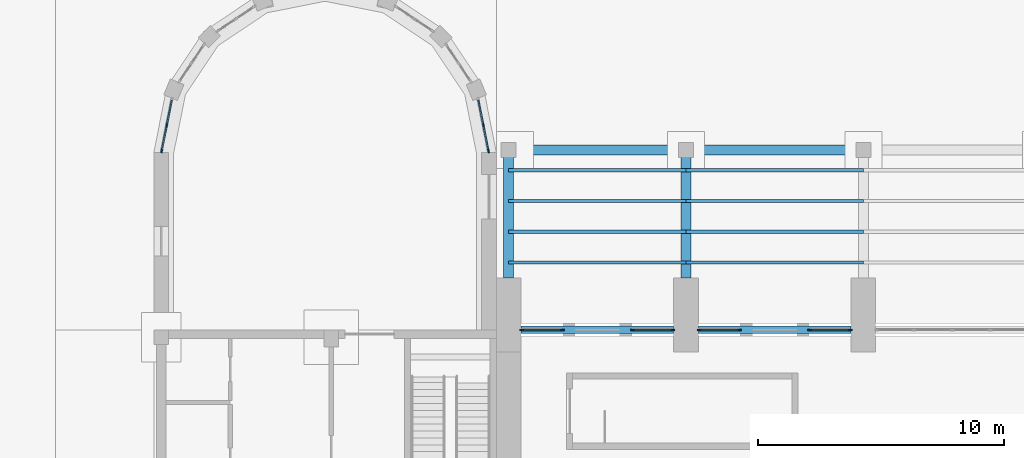
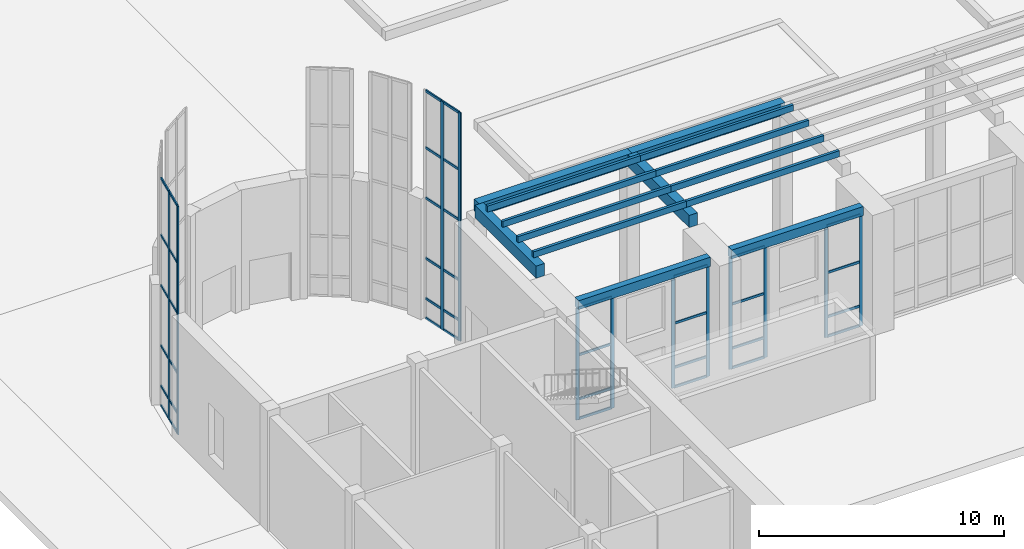
# One storey, part 13 of 70: 60 members, 6 beams, 6 elements without a shape of their own.
"""IFC4 building model written with IfcOpenShell, lengths in metres."""

from ifc_helpers import new_model, si_unit, direction, frame, origin, origin_2d, place, context, subcontext, project, spatial, rectangle, extrude, material, material_profile, profile_set, type_object, element, aggregate, save


model = new_model("IFC4")

# Units and contexts
model_context = context("Model", 3, precision=1e-05, world=origin(), true_north=direction((0.0, 1.0)))
body_context = subcontext(model_context, "Body", "Model", "MODEL_VIEW")
ifc_project = project(units=[si_unit("LENGTHUNIT", "METRE"), si_unit("AREAUNIT", "SQUARE_METRE"), si_unit("VOLUMEUNIT", "CUBIC_METRE"), si_unit("PLANEANGLEUNIT", "RADIAN"), si_unit("MASSUNIT", "GRAM", prefix="KILO")], contexts=[model_context])

# Site, building, storey
site_placement = place(None, origin())
site = spatial("IfcSite", under=ifc_project, at=site_placement, CompositionType="ELEMENT")
building_placement = place(site_placement, origin())
building = spatial("IfcBuilding", under=site, at=building_placement, Name="Vermilion Court Aquatics Centre", CompositionType="ELEMENT")
storey_placement = place(building_placement, origin())
storey = spatial("IfcBuildingStorey", under=building, at=storey_placement, Name="L00", CompositionType="ELEMENT", Elevation=0.0)

# Beams
ifc_material_1 = material(Name="Concrete 5000 psi", Category="concrete")
ifc_material_profile_1 = material_profile(ifc_material_1, rectangle(XDim=0.39990234375, YDim=0.60009765625, at=origin_2d()), Name="RC 400x600")
ifc_profile_set_1 = profile_set([ifc_material_profile_1], Name="Concrete 5000 psi")
beam_type_1 = type_object("IfcBeamType", Name="Court arcade beam RC 400x600", PredefinedType="BEAM", material=ifc_profile_set_1)
for number, where, z_axis, x_axis, name in (
    (1, (14.39990234375, 66.89990234375, 6.300048828125), (0.0, 1.0, 0.0), (-1.0, 0.0, 0.0), "Court arcade cross beam 1"),
    (2, (21.60009765625, 66.89990234375, 6.300048828125), (0.0, 1.0, 0.0), (-1.0, 0.0, 0.0), "Court arcade cross beam 2"),
):
    element("IfcBeam", number, at=place(storey_placement, frame(where, z_axis=z_axis, x_axis=x_axis)), inside=storey, type_object=beam_type_1, Name=name, PredefinedType="BEAM", context=body_context, shape_type="SweptSolid", body=[
        extrude(rectangle(XDim=0.39990234375, YDim=0.60009765625, at=origin_2d()), origin(), (0.0, 0.0, 1.0), 5.0),
    ])
beam_1_placement = place(storey_placement, frame((14.39990234375, 72.10009765625, 6.300048828125), z_axis=(1.0, 0.0, 0.0), x_axis=(0.0, 1.0, 0.0)))
element("IfcBeam", 3, at=beam_1_placement, inside=storey, type_object=beam_type_1, Name="Court arcade edge beam 1", PredefinedType="BEAM", context=body_context, shape_type="SweptSolid", body=[
    extrude(rectangle(XDim=0.39990234375, YDim=0.60009765625, at=origin_2d()), origin(), (0.0, 0.0, 1.0), 7.2001953125),
])
beam_2_placement = place(storey_placement, frame((21.60009765625, 72.10009765625, 6.300048828125), z_axis=(1.0, 0.0, 0.0), x_axis=(0.0, 1.0, 0.0)))
element("IfcBeam", 4, at=beam_2_placement, inside=storey, type_object=beam_type_1, Name="Court arcade edge beam 2", PredefinedType="BEAM", context=body_context, shape_type="SweptSolid", body=[
    extrude(rectangle(XDim=0.39990234375, YDim=0.60009765625, at=origin_2d()), origin(), (0.0, 0.0, 1.0), 7.199951171875),
])

# Members
ifc_material_2 = material(Name="Glulam 24F-V4 Douglas fir", Category="wood")
ifc_material_profile_2 = material_profile(ifc_material_2, rectangle(XDim=0.1298828125, YDim=0.300048828125, at=origin_2d()), Name="GL24F 130x300")
ifc_profile_set_2 = profile_set([ifc_material_profile_2], Name="Glulam 24F-V4 Douglas fir")
member_type_1 = type_object("IfcMemberType", Name="Court arcade glulam slat GL24F 130x300", PredefinedType="MEMBER", material=ifc_profile_set_2)
for number, where, z_axis, x_axis, name in (
    (5, (14.39990234375, 67.52490234375, 6.75), (1.0, 0.0, 0.0), (0.0, 1.0, 0.0), "Court arcade slat 1.1"),
    (6, (14.39990234375, 68.77490234375, 6.75), (1.0, 0.0, 0.0), (0.0, 1.0, 0.0), "Court arcade slat 1.2"),
    (7, (14.39990234375, 70.02490234375, 6.75), (1.0, 0.0, 0.0), (0.0, 1.0, 0.0), "Court arcade slat 1.3"),
    (8, (14.39990234375, 71.27490234375, 6.75), (1.0, 0.0, 0.0), (0.0, 1.0, 0.0), "Court arcade slat 1.4"),
):
    element("IfcMember", number, at=place(storey_placement, frame(where, z_axis=z_axis, x_axis=x_axis)), inside=storey, type_object=member_type_1, Name=name, PredefinedType="MEMBER", context=body_context, shape_type="SweptSolid", body=[
        extrude(rectangle(XDim=0.1298828125, YDim=0.300048828125, at=origin_2d()), origin(), (0.0, 0.0, 1.0), 7.2001953125),
    ])
for number, where, z_axis, x_axis, name in (
    (9, (21.60009765625, 67.52490234375, 6.75), (1.0, 0.0, 0.0), (0.0, 1.0, 0.0), "Court arcade slat 2.1"),
    (10, (21.60009765625, 68.77490234375, 6.75), (1.0, 0.0, 0.0), (0.0, 1.0, 0.0), "Court arcade slat 2.2"),
    (11, (21.60009765625, 70.02490234375, 6.75), (1.0, 0.0, 0.0), (0.0, 1.0, 0.0), "Court arcade slat 2.3"),
    (12, (21.60009765625, 71.27490234375, 6.75), (1.0, 0.0, 0.0), (0.0, 1.0, 0.0), "Court arcade slat 2.4"),
):
    element("IfcMember", number, at=place(storey_placement, frame(where, z_axis=z_axis, x_axis=x_axis)), inside=storey, type_object=member_type_1, Name=name, PredefinedType="MEMBER", context=body_context, shape_type="SweptSolid", body=[
        extrude(rectangle(XDim=0.1298828125, YDim=0.300048828125, at=origin_2d()), origin(), (0.0, 0.0, 1.0), 7.199951171875),
    ])

# Curtain wall, members
ifc_material_3 = material(Name="Aluminium 6063-T5", Category="aluminium")
curtain_wall_type_1 = type_object("IfcCurtainWallType", Name="Envelope curtain wall hall glazing L00", PredefinedType="NOTDEFINED", material=ifc_material_3)
curtain_wall_1_placement = place(storey_placement, origin())
curtain_wall_1 = element("IfcCurtainWall", 13, at=curtain_wall_1_placement, inside=storey, type_object=curtain_wall_type_1, Name="Hall entrance sidelight bay 1 L00 W", PredefinedType="NOTDEFINED")
ifc_material_4 = material(Name="Aluminium 6063-T5", Category="aluminium")
ifc_material_profile_3 = material_profile(ifc_material_4, rectangle(XDim=0.06005859375, YDim=0.159912109375, at=origin_2d()), Name="AL 60x160")
ifc_profile_set_3 = profile_set([ifc_material_profile_3], Name="Aluminium 6063-T5")
member_type_2 = type_object("IfcMemberType", Name="Envelope aluminium mullion 60x160", PredefinedType="MULLION", material=ifc_profile_set_3)
member_1_placement = place(storey_placement, frame((14.929931640625, 64.800048828125, 0.0), z_axis=(0.0, 0.0, 1.0), x_axis=(0.0, 1.0, 0.0)))
member_1 = element("IfcMember", 14, at=member_1_placement, type_object=member_type_2, Name="ECW1 mullion 1", PredefinedType="MULLION", context=body_context, shape_type="SweptSolid", body=[
    extrude(rectangle(XDim=0.06005859375, YDim=0.159912109375, at=origin_2d()), origin(), (0.0, 0.0, 1.0), 5.550048828125),
])
member_2_placement = place(storey_placement, frame((16.570068359375, 64.800048828125, 0.0), z_axis=(0.0, 0.0, 1.0), x_axis=(0.0, 1.0, 0.0)))
member_2 = element("IfcMember", 15, at=member_2_placement, type_object=member_type_2, Name="ECW1 mullion 2", PredefinedType="MULLION", context=body_context, shape_type="SweptSolid", body=[
    extrude(rectangle(XDim=0.06005859375, YDim=0.159912109375, at=origin_2d()), origin(), (0.0, 0.0, 1.0), 5.550048828125),
])

curtain_wall_2_placement = place(storey_placement, origin())
curtain_wall_2 = element("IfcCurtainWall", 16, at=curtain_wall_2_placement, inside=storey, type_object=curtain_wall_type_1, Name="Hall entrance sidelight bay 1 L00 E", PredefinedType="NOTDEFINED")
member_3_placement = place(storey_placement, frame((19.429931640625, 64.800048828125, 0.0), z_axis=(0.0, 0.0, 1.0), x_axis=(0.0, 1.0, 0.0)))
member_3 = element("IfcMember", 17, at=member_3_placement, type_object=member_type_2, Name="ECW1 mullion 1", PredefinedType="MULLION", context=body_context, shape_type="SweptSolid", body=[
    extrude(rectangle(XDim=0.06005859375, YDim=0.159912109375, at=origin_2d()), origin(), (0.0, 0.0, 1.0), 5.550048828125),
])
member_4_placement = place(storey_placement, frame((21.070068359375, 64.800048828125, 0.0), z_axis=(0.0, 0.0, 1.0), x_axis=(0.0, 1.0, 0.0)))
member_4 = element("IfcMember", 18, at=member_4_placement, type_object=member_type_2, Name="ECW1 mullion 2", PredefinedType="MULLION", context=body_context, shape_type="SweptSolid", body=[
    extrude(rectangle(XDim=0.06005859375, YDim=0.159912109375, at=origin_2d()), origin(), (0.0, 0.0, 1.0), 5.550048828125),
])

curtain_wall_3_placement = place(storey_placement, origin())
curtain_wall_3 = element("IfcCurtainWall", 19, at=curtain_wall_3_placement, inside=storey, type_object=curtain_wall_type_1, Name="Hall entrance sidelight bay 2 L00 W", PredefinedType="NOTDEFINED")
member_5_placement = place(storey_placement, frame((22.1298828125, 64.800048828125, 0.0), z_axis=(0.0, 0.0, 1.0), x_axis=(0.0, 1.0, 0.0)))
member_5 = element("IfcMember", 20, at=member_5_placement, type_object=member_type_2, Name="ECW1 mullion 1", PredefinedType="MULLION", context=body_context, shape_type="SweptSolid", body=[
    extrude(rectangle(XDim=0.06005859375, YDim=0.159912109375, at=origin_2d()), origin(), (0.0, 0.0, 1.0), 5.550048828125),
])
member_6_placement = place(storey_placement, frame((23.77001953125, 64.800048828125, 0.0), z_axis=(0.0, 0.0, 1.0), x_axis=(0.0, 1.0, 0.0)))
member_6 = element("IfcMember", 21, at=member_6_placement, type_object=member_type_2, Name="ECW1 mullion 2", PredefinedType="MULLION", context=body_context, shape_type="SweptSolid", body=[
    extrude(rectangle(XDim=0.06005859375, YDim=0.159912109375, at=origin_2d()), origin(), (0.0, 0.0, 1.0), 5.550048828125),
])

curtain_wall_4_placement = place(storey_placement, origin())
curtain_wall_4 = element("IfcCurtainWall", 22, at=curtain_wall_4_placement, inside=storey, type_object=curtain_wall_type_1, Name="Hall entrance sidelight bay 2 L00 E", PredefinedType="NOTDEFINED")
member_7_placement = place(storey_placement, frame((26.6298828125, 64.800048828125, 0.0), z_axis=(0.0, 0.0, 1.0), x_axis=(0.0, 1.0, 0.0)))
member_7 = element("IfcMember", 23, at=member_7_placement, type_object=member_type_2, Name="ECW1 mullion 1", PredefinedType="MULLION", context=body_context, shape_type="SweptSolid", body=[
    extrude(rectangle(XDim=0.06005859375, YDim=0.159912109375, at=origin_2d()), origin(), (0.0, 0.0, 1.0), 5.550048828125),
])
member_8_placement = place(storey_placement, frame((28.27001953125, 64.800048828125, 0.0), z_axis=(0.0, 0.0, 1.0), x_axis=(0.0, 1.0, 0.0)))
member_8 = element("IfcMember", 24, at=member_8_placement, type_object=member_type_2, Name="ECW1 mullion 2", PredefinedType="MULLION", context=body_context, shape_type="SweptSolid", body=[
    extrude(rectangle(XDim=0.06005859375, YDim=0.159912109375, at=origin_2d()), origin(), (0.0, 0.0, 1.0), 5.550048828125),
])

# Member
ifc_material_5 = material(Name="Aluminium 6063-T5", Category="aluminium")
ifc_material_profile_4 = material_profile(ifc_material_5, rectangle(XDim=0.06005859375, YDim=0.1201171875, at=origin_2d()), Name="AL 60x120")
ifc_profile_set_4 = profile_set([ifc_material_profile_4], Name="Aluminium 6063-T5")
member_type_3 = type_object("IfcMemberType", Name="Envelope aluminium transom 60x120", PredefinedType="USERDEFINED", material=ifc_profile_set_4)
member_9_placement = place(storey_placement, frame((14.9599609375, 64.800048828125, 0.030029296875), z_axis=(1.0, 0.0, 0.0), x_axis=(0.0, 1.0, 0.0)))
member_9 = element("IfcMember", 25, at=member_9_placement, type_object=member_type_3, Name="ECW1 transom 1.1", ObjectType="TRANSOM", PredefinedType="USERDEFINED", context=body_context, shape_type="SweptSolid", body=[
    extrude(rectangle(XDim=0.06005859375, YDim=0.1201171875, at=origin_2d()), origin(), (0.0, 0.0, 1.0), 1.580078125),
])

member_10_placement = place(storey_placement, frame((14.9599609375, 64.800048828125, 1.0), z_axis=(1.0, 0.0, 0.0), x_axis=(0.0, 1.0, 0.0)))
member_10 = element("IfcMember", 26, at=member_10_placement, type_object=member_type_3, Name="ECW1 transom 1.2", ObjectType="TRANSOM", PredefinedType="USERDEFINED", context=body_context, shape_type="SweptSolid", body=[
    extrude(rectangle(XDim=0.06005859375, YDim=0.1201171875, at=origin_2d()), origin(), (0.0, 0.0, 1.0), 1.580078125),
])

member_11_placement = place(storey_placement, frame((14.9599609375, 64.800048828125, 3.199951171875), z_axis=(1.0, 0.0, 0.0), x_axis=(0.0, 1.0, 0.0)))
member_11 = element("IfcMember", 27, at=member_11_placement, type_object=member_type_3, Name="ECW1 transom 1.3", ObjectType="TRANSOM", PredefinedType="USERDEFINED", context=body_context, shape_type="SweptSolid", body=[
    extrude(rectangle(XDim=0.06005859375, YDim=0.1201171875, at=origin_2d()), origin(), (0.0, 0.0, 1.0), 1.580078125),
])

member_12_placement = place(storey_placement, frame((14.9599609375, 64.800048828125, 5.52001953125), z_axis=(1.0, 0.0, 0.0), x_axis=(0.0, 1.0, 0.0)))
member_12 = element("IfcMember", 28, at=member_12_placement, type_object=member_type_3, Name="ECW1 transom 1.4", ObjectType="TRANSOM", PredefinedType="USERDEFINED", context=body_context, shape_type="SweptSolid", body=[
    extrude(rectangle(XDim=0.06005859375, YDim=0.1201171875, at=origin_2d()), origin(), (0.0, 0.0, 1.0), 1.580078125),
])

aggregate(curtain_wall_1, [member_1, member_2, member_9, member_10, member_11, member_12])

member_13_placement = place(storey_placement, frame((19.4599609375, 64.800048828125, 0.030029296875), z_axis=(1.0, 0.0, 0.0), x_axis=(0.0, 1.0, 0.0)))
member_13 = element("IfcMember", 29, at=member_13_placement, type_object=member_type_3, Name="ECW1 transom 1.1", ObjectType="TRANSOM", PredefinedType="USERDEFINED", context=body_context, shape_type="SweptSolid", body=[
    extrude(rectangle(XDim=0.06005859375, YDim=0.1201171875, at=origin_2d()), origin(), (0.0, 0.0, 1.0), 1.580078125),
])

member_14_placement = place(storey_placement, frame((19.4599609375, 64.800048828125, 1.0), z_axis=(1.0, 0.0, 0.0), x_axis=(0.0, 1.0, 0.0)))
member_14 = element("IfcMember", 30, at=member_14_placement, type_object=member_type_3, Name="ECW1 transom 1.2", ObjectType="TRANSOM", PredefinedType="USERDEFINED", context=body_context, shape_type="SweptSolid", body=[
    extrude(rectangle(XDim=0.06005859375, YDim=0.1201171875, at=origin_2d()), origin(), (0.0, 0.0, 1.0), 1.580078125),
])

member_15_placement = place(storey_placement, frame((19.4599609375, 64.800048828125, 3.199951171875), z_axis=(1.0, 0.0, 0.0), x_axis=(0.0, 1.0, 0.0)))
member_15 = element("IfcMember", 31, at=member_15_placement, type_object=member_type_3, Name="ECW1 transom 1.3", ObjectType="TRANSOM", PredefinedType="USERDEFINED", context=body_context, shape_type="SweptSolid", body=[
    extrude(rectangle(XDim=0.06005859375, YDim=0.1201171875, at=origin_2d()), origin(), (0.0, 0.0, 1.0), 1.580078125),
])

member_16_placement = place(storey_placement, frame((19.4599609375, 64.800048828125, 5.52001953125), z_axis=(1.0, 0.0, 0.0), x_axis=(0.0, 1.0, 0.0)))
member_16 = element("IfcMember", 32, at=member_16_placement, type_object=member_type_3, Name="ECW1 transom 1.4", ObjectType="TRANSOM", PredefinedType="USERDEFINED", context=body_context, shape_type="SweptSolid", body=[
    extrude(rectangle(XDim=0.06005859375, YDim=0.1201171875, at=origin_2d()), origin(), (0.0, 0.0, 1.0), 1.580078125),
])

aggregate(curtain_wall_2, [member_3, member_4, member_13, member_14, member_15, member_16])

member_17_placement = place(storey_placement, frame((22.159912109375, 64.800048828125, 0.030029296875), z_axis=(1.0, 0.0, 0.0), x_axis=(0.0, 1.0, 0.0)))
member_17 = element("IfcMember", 33, at=member_17_placement, type_object=member_type_3, Name="ECW1 transom 1.1", ObjectType="TRANSOM", PredefinedType="USERDEFINED", context=body_context, shape_type="SweptSolid", body=[
    extrude(rectangle(XDim=0.06005859375, YDim=0.1201171875, at=origin_2d()), origin(), (0.0, 0.0, 1.0), 1.580078125),
])

member_18_placement = place(storey_placement, frame((22.159912109375, 64.800048828125, 1.0), z_axis=(1.0, 0.0, 0.0), x_axis=(0.0, 1.0, 0.0)))
member_18 = element("IfcMember", 34, at=member_18_placement, type_object=member_type_3, Name="ECW1 transom 1.2", ObjectType="TRANSOM", PredefinedType="USERDEFINED", context=body_context, shape_type="SweptSolid", body=[
    extrude(rectangle(XDim=0.06005859375, YDim=0.1201171875, at=origin_2d()), origin(), (0.0, 0.0, 1.0), 1.580078125),
])

member_19_placement = place(storey_placement, frame((22.159912109375, 64.800048828125, 3.199951171875), z_axis=(1.0, 0.0, 0.0), x_axis=(0.0, 1.0, 0.0)))
member_19 = element("IfcMember", 35, at=member_19_placement, type_object=member_type_3, Name="ECW1 transom 1.3", ObjectType="TRANSOM", PredefinedType="USERDEFINED", context=body_context, shape_type="SweptSolid", body=[
    extrude(rectangle(XDim=0.06005859375, YDim=0.1201171875, at=origin_2d()), origin(), (0.0, 0.0, 1.0), 1.580078125),
])

member_20_placement = place(storey_placement, frame((22.159912109375, 64.800048828125, 5.52001953125), z_axis=(1.0, 0.0, 0.0), x_axis=(0.0, 1.0, 0.0)))
member_20 = element("IfcMember", 36, at=member_20_placement, type_object=member_type_3, Name="ECW1 transom 1.4", ObjectType="TRANSOM", PredefinedType="USERDEFINED", context=body_context, shape_type="SweptSolid", body=[
    extrude(rectangle(XDim=0.06005859375, YDim=0.1201171875, at=origin_2d()), origin(), (0.0, 0.0, 1.0), 1.580078125),
])

aggregate(curtain_wall_3, [member_5, member_6, member_17, member_18, member_19, member_20])

member_21_placement = place(storey_placement, frame((26.659912109375, 64.800048828125, 0.030029296875), z_axis=(1.0, 0.0, 0.0), x_axis=(0.0, 1.0, 0.0)))
member_21 = element("IfcMember", 37, at=member_21_placement, type_object=member_type_3, Name="ECW1 transom 1.1", ObjectType="TRANSOM", PredefinedType="USERDEFINED", context=body_context, shape_type="SweptSolid", body=[
    extrude(rectangle(XDim=0.06005859375, YDim=0.1201171875, at=origin_2d()), origin(), (0.0, 0.0, 1.0), 1.580078125),
])

member_22_placement = place(storey_placement, frame((26.659912109375, 64.800048828125, 1.0), z_axis=(1.0, 0.0, 0.0), x_axis=(0.0, 1.0, 0.0)))
member_22 = element("IfcMember", 38, at=member_22_placement, type_object=member_type_3, Name="ECW1 transom 1.2", ObjectType="TRANSOM", PredefinedType="USERDEFINED", context=body_context, shape_type="SweptSolid", body=[
    extrude(rectangle(XDim=0.06005859375, YDim=0.1201171875, at=origin_2d()), origin(), (0.0, 0.0, 1.0), 1.580078125),
])

member_23_placement = place(storey_placement, frame((26.659912109375, 64.800048828125, 3.199951171875), z_axis=(1.0, 0.0, 0.0), x_axis=(0.0, 1.0, 0.0)))
member_23 = element("IfcMember", 39, at=member_23_placement, type_object=member_type_3, Name="ECW1 transom 1.3", ObjectType="TRANSOM", PredefinedType="USERDEFINED", context=body_context, shape_type="SweptSolid", body=[
    extrude(rectangle(XDim=0.06005859375, YDim=0.1201171875, at=origin_2d()), origin(), (0.0, 0.0, 1.0), 1.580078125),
])

member_24_placement = place(storey_placement, frame((26.659912109375, 64.800048828125, 5.52001953125), z_axis=(1.0, 0.0, 0.0), x_axis=(0.0, 1.0, 0.0)))
member_24 = element("IfcMember", 40, at=member_24_placement, type_object=member_type_3, Name="ECW1 transom 1.4", ObjectType="TRANSOM", PredefinedType="USERDEFINED", context=body_context, shape_type="SweptSolid", body=[
    extrude(rectangle(XDim=0.06005859375, YDim=0.1201171875, at=origin_2d()), origin(), (0.0, 0.0, 1.0), 1.580078125),
])

aggregate(curtain_wall_4, [member_7, member_8, member_21, member_22, member_23, member_24])

# Beams
ifc_material_6 = material(Name="Concrete 5000 psi", Category="concrete")
ifc_material_profile_5 = material_profile(ifc_material_6, rectangle(XDim=0.300048828125, YDim=0.449951171875, at=origin_2d()), Name="RC 300x450")
ifc_profile_set_5 = profile_set([ifc_material_profile_5], Name="Concrete 5000 psi")
beam_type_2 = type_object("IfcBeamType", Name="Envelope north wall head beam RC 300x450", PredefinedType="BEAM", material=ifc_profile_set_5)
beam_3_placement = place(storey_placement, frame((14.89990234375, 64.800048828125, 5.77490234375), z_axis=(1.0, 0.0, 0.0), x_axis=(0.0, 1.0, 0.0)))
element("IfcBeam", 41, at=beam_3_placement, inside=storey, type_object=beam_type_2, Name="North wall head beam 1", PredefinedType="BEAM", context=body_context, shape_type="SweptSolid", body=[
    extrude(rectangle(XDim=0.300048828125, YDim=0.449951171875, at=origin_2d()), origin(), (0.0, 0.0, 1.0), 6.2001953125),
])
beam_4_placement = place(storey_placement, frame((22.10009765625, 64.800048828125, 5.77490234375), z_axis=(1.0, 0.0, 0.0), x_axis=(0.0, 1.0, 0.0)))
element("IfcBeam", 42, at=beam_4_placement, inside=storey, type_object=beam_type_2, Name="North wall head beam 2", PredefinedType="BEAM", context=body_context, shape_type="SweptSolid", body=[
    extrude(rectangle(XDim=0.300048828125, YDim=0.449951171875, at=origin_2d()), origin(), (0.0, 0.0, 1.0), 6.199951171875),
])

# Curtain wall, members
ifc_material_7 = material(Name="Aluminium 6063-T5", Category="aluminium")
curtain_wall_type_2 = type_object("IfcCurtainWallType", Name="Rotunda curtain wall", PredefinedType="NOTDEFINED", material=ifc_material_7)
curtain_wall_5_placement = place(storey_placement, origin())
curtain_wall_5 = element("IfcCurtainWall", 43, at=curtain_wall_5_placement, inside=storey, type_object=curtain_wall_type_2, Name="Rotunda curtain wall", PredefinedType="NOTDEFINED")
ifc_material_8 = material(Name="Aluminium 6063-T5", Category="aluminium")
ifc_material_profile_6 = material_profile(ifc_material_8, rectangle(XDim=0.06005859375, YDim=0.159912109375, at=origin_2d()), Name="Aluminium 60x160")
ifc_profile_set_6 = profile_set([ifc_material_profile_6], Name="Aluminium 6063-T5")
member_type_4 = type_object("IfcMemberType", Name="Foyer mullion 60x160", PredefinedType="MULLION", material=ifc_profile_set_6)
member_25_placement = place(storey_placement, frame((0.317626953125, 72.058837890625, 0.0), z_axis=(0.0, 0.0, 1.0), x_axis=(-0.980784278042, 0.195095361156, 0.0)))
member_25 = element("IfcMember", 44, at=member_25_placement, type_object=member_type_4, Name="HRT8 mullion 1", PredefinedType="MULLION", context=body_context, shape_type="SweptSolid", body=[
    extrude(rectangle(XDim=0.06005859375, YDim=0.159912109375, at=origin_2d()), origin(), (0.0, 0.0, 1.0), 11.35009765625),
])
member_26_placement = place(storey_placement, frame((0.52490234375, 73.101318359375, 0.0), z_axis=(0.0, 0.0, 1.0), x_axis=(-0.980784278042, 0.195095361156, 0.0)))
member_26 = element("IfcMember", 45, at=member_26_placement, type_object=member_type_4, Name="HRT8 mullion 2", PredefinedType="MULLION", context=body_context, shape_type="SweptSolid", body=[
    extrude(rectangle(XDim=0.06005859375, YDim=0.159912109375, at=origin_2d()), origin(), (0.0, 0.0, 1.0), 11.35009765625),
])

curtain_wall_6_placement = place(storey_placement, origin())
curtain_wall_6 = element("IfcCurtainWall", 46, at=curtain_wall_6_placement, inside=storey, type_object=curtain_wall_type_2, Name="Rotunda curtain wall", PredefinedType="NOTDEFINED")
member_27_placement = place(storey_placement, frame((13.375, 73.101318359375, 0.0), z_axis=(0.0, 0.0, 1.0), x_axis=(0.980784278042, 0.195095361156, 0.0)))
member_27 = element("IfcMember", 47, at=member_27_placement, type_object=member_type_4, Name="HRT8 mullion 2", PredefinedType="MULLION", context=body_context, shape_type="SweptSolid", body=[
    extrude(rectangle(XDim=0.06005859375, YDim=0.159912109375, at=origin_2d()), origin(), (0.0, 0.0, 1.0), 11.35009765625),
])
member_28_placement = place(storey_placement, frame((13.58251953125, 72.058837890625, 0.0), z_axis=(0.0, 0.0, 1.0), x_axis=(0.980784278042, 0.195095361156, 0.0)))
member_28 = element("IfcMember", 48, at=member_28_placement, type_object=member_type_4, Name="HRT8 mullion 3", PredefinedType="MULLION", context=body_context, shape_type="SweptSolid", body=[
    extrude(rectangle(XDim=0.06005859375, YDim=0.159912109375, at=origin_2d()), origin(), (0.0, 0.0, 1.0), 11.35009765625),
])

# Member
ifc_material_9 = material(Name="Aluminium 6063-T5", Category="aluminium")
ifc_material_profile_7 = material_profile(ifc_material_9, rectangle(XDim=0.06005859375, YDim=0.1201171875, at=origin_2d()), Name="Aluminium 60x120")
ifc_profile_set_7 = profile_set([ifc_material_profile_7], Name="Aluminium 6063-T5")
member_type_5 = type_object("IfcMemberType", Name="Foyer transom 60x120", PredefinedType="USERDEFINED", material=ifc_profile_set_7)
member_29_placement = place(storey_placement, frame((0.323486328125, 72.088134765625, 0.030029296875), z_axis=(0.194992454374, 0.980804742412, 0.0), x_axis=(-0.980804742412, 0.194992454374, 0.0)))
member_29 = element("IfcMember", 49, at=member_29_placement, type_object=member_type_5, Name="HRT8 transom 1.1", ObjectType="TRANSOM", PredefinedType="USERDEFINED", context=body_context, shape_type="SweptSolid", body=[
    extrude(rectangle(XDim=0.06005859375, YDim=0.1201171875, at=origin_2d()), origin(), (0.0, 0.0, 1.0), 1.0029296875),
])

member_30_placement = place(storey_placement, frame((0.323486328125, 72.088134765625, 1.0), z_axis=(0.194992454374, 0.980804742412, 0.0), x_axis=(-0.980804742412, 0.194992454374, 0.0)))
member_30 = element("IfcMember", 50, at=member_30_placement, type_object=member_type_5, Name="HRT8 transom 1.2", ObjectType="TRANSOM", PredefinedType="USERDEFINED", context=body_context, shape_type="SweptSolid", body=[
    extrude(rectangle(XDim=0.06005859375, YDim=0.1201171875, at=origin_2d()), origin(), (0.0, 0.0, 1.0), 1.0029296875),
])

member_31_placement = place(storey_placement, frame((0.323486328125, 72.088134765625, 3.0), z_axis=(0.194992454374, 0.980804742412, 0.0), x_axis=(-0.980804742412, 0.194992454374, 0.0)))
member_31 = element("IfcMember", 51, at=member_31_placement, type_object=member_type_5, Name="HRT8 transom 1.3", ObjectType="TRANSOM", PredefinedType="USERDEFINED", context=body_context, shape_type="SweptSolid", body=[
    extrude(rectangle(XDim=0.06005859375, YDim=0.1201171875, at=origin_2d()), origin(), (0.0, 0.0, 1.0), 1.0029296875),
])

member_32_placement = place(storey_placement, frame((0.323486328125, 72.088134765625, 6.0), z_axis=(0.194992454374, 0.980804742412, 0.0), x_axis=(-0.980804742412, 0.194992454374, 0.0)))
member_32 = element("IfcMember", 52, at=member_32_placement, type_object=member_type_5, Name="HRT8 transom 1.4", ObjectType="TRANSOM", PredefinedType="USERDEFINED", context=body_context, shape_type="SweptSolid", body=[
    extrude(rectangle(XDim=0.06005859375, YDim=0.1201171875, at=origin_2d()), origin(), (0.0, 0.0, 1.0), 1.0029296875),
])

member_33_placement = place(storey_placement, frame((0.323486328125, 72.088134765625, 8.5), z_axis=(0.194992454374, 0.980804742412, 0.0), x_axis=(-0.980804742412, 0.194992454374, 0.0)))
member_33 = element("IfcMember", 53, at=member_33_placement, type_object=member_type_5, Name="HRT8 transom 1.5", ObjectType="TRANSOM", PredefinedType="USERDEFINED", context=body_context, shape_type="SweptSolid", body=[
    extrude(rectangle(XDim=0.06005859375, YDim=0.1201171875, at=origin_2d()), origin(), (0.0, 0.0, 1.0), 1.0029296875),
])

member_34_placement = place(storey_placement, frame((0.323486328125, 72.088134765625, 11.320068359375), z_axis=(0.194992454374, 0.980804742412, 0.0), x_axis=(-0.980804742412, 0.194992454374, 0.0)))
member_34 = element("IfcMember", 54, at=member_34_placement, type_object=member_type_5, Name="HRT8 transom 1.6", ObjectType="TRANSOM", PredefinedType="USERDEFINED", context=body_context, shape_type="SweptSolid", body=[
    extrude(rectangle(XDim=0.06005859375, YDim=0.1201171875, at=origin_2d()), origin(), (0.0, 0.0, 1.0), 1.0029296875),
])

member_35_placement = place(storey_placement, frame((0.53076171875, 73.130615234375, 0.030029296875), z_axis=(0.194992454374, 0.980804742412, 0.0), x_axis=(-0.980804742412, 0.194992454374, 0.0)))
member_35 = element("IfcMember", 55, at=member_35_placement, type_object=member_type_5, Name="HRT8 transom 2.1", ObjectType="TRANSOM", PredefinedType="USERDEFINED", context=body_context, shape_type="SweptSolid", body=[
    extrude(rectangle(XDim=0.06005859375, YDim=0.1201171875, at=origin_2d()), origin(), (0.0, 0.0, 1.0), 1.0029296875),
])

member_36_placement = place(storey_placement, frame((0.53076171875, 73.130615234375, 1.0), z_axis=(0.194992454374, 0.980804742412, 0.0), x_axis=(-0.980804742412, 0.194992454374, 0.0)))
member_36 = element("IfcMember", 56, at=member_36_placement, type_object=member_type_5, Name="HRT8 transom 2.2", ObjectType="TRANSOM", PredefinedType="USERDEFINED", context=body_context, shape_type="SweptSolid", body=[
    extrude(rectangle(XDim=0.06005859375, YDim=0.1201171875, at=origin_2d()), origin(), (0.0, 0.0, 1.0), 1.0029296875),
])

member_37_placement = place(storey_placement, frame((0.53076171875, 73.130615234375, 3.0), z_axis=(0.194992454374, 0.980804742412, 0.0), x_axis=(-0.980804742412, 0.194992454374, 0.0)))
member_37 = element("IfcMember", 57, at=member_37_placement, type_object=member_type_5, Name="HRT8 transom 2.3", ObjectType="TRANSOM", PredefinedType="USERDEFINED", context=body_context, shape_type="SweptSolid", body=[
    extrude(rectangle(XDim=0.06005859375, YDim=0.1201171875, at=origin_2d()), origin(), (0.0, 0.0, 1.0), 1.0029296875),
])

member_38_placement = place(storey_placement, frame((0.53076171875, 73.130615234375, 6.0), z_axis=(0.194992454374, 0.980804742412, 0.0), x_axis=(-0.980804742412, 0.194992454374, 0.0)))
member_38 = element("IfcMember", 58, at=member_38_placement, type_object=member_type_5, Name="HRT8 transom 2.4", ObjectType="TRANSOM", PredefinedType="USERDEFINED", context=body_context, shape_type="SweptSolid", body=[
    extrude(rectangle(XDim=0.06005859375, YDim=0.1201171875, at=origin_2d()), origin(), (0.0, 0.0, 1.0), 1.0029296875),
])

member_39_placement = place(storey_placement, frame((0.53076171875, 73.130615234375, 8.5), z_axis=(0.194992454374, 0.980804742412, 0.0), x_axis=(-0.980804742412, 0.194992454374, 0.0)))
member_39 = element("IfcMember", 59, at=member_39_placement, type_object=member_type_5, Name="HRT8 transom 2.5", ObjectType="TRANSOM", PredefinedType="USERDEFINED", context=body_context, shape_type="SweptSolid", body=[
    extrude(rectangle(XDim=0.06005859375, YDim=0.1201171875, at=origin_2d()), origin(), (0.0, 0.0, 1.0), 1.0029296875),
])

member_40_placement = place(storey_placement, frame((0.53076171875, 73.130615234375, 11.320068359375), z_axis=(0.194992454374, 0.980804742412, 0.0), x_axis=(-0.980804742412, 0.194992454374, 0.0)))
member_40 = element("IfcMember", 60, at=member_40_placement, type_object=member_type_5, Name="HRT8 transom 2.6", ObjectType="TRANSOM", PredefinedType="USERDEFINED", context=body_context, shape_type="SweptSolid", body=[
    extrude(rectangle(XDim=0.06005859375, YDim=0.1201171875, at=origin_2d()), origin(), (0.0, 0.0, 1.0), 1.0029296875),
])

aggregate(curtain_wall_5, [member_25, member_26, member_29, member_30, member_31, member_32, member_33, member_34, member_35, member_36, member_37, member_38, member_39, member_40])

member_41_placement = place(storey_placement, frame((13.173583984375, 74.1142578125, 0.030029296875), z_axis=(0.194992454374, -0.980804742412, 0.0), x_axis=(0.980804742412, 0.194992454374, 0.0)))
member_41 = element("IfcMember", 61, at=member_41_placement, type_object=member_type_5, Name="HRT8 transom 1.1", ObjectType="TRANSOM", PredefinedType="USERDEFINED", context=body_context, shape_type="SweptSolid", body=[
    extrude(rectangle(XDim=0.06005859375, YDim=0.1201171875, at=origin_2d()), origin(), (0.0, 0.0, 1.0), 1.0029296875),
])

member_42_placement = place(storey_placement, frame((13.173583984375, 74.1142578125, 1.0), z_axis=(0.194992454374, -0.980804742412, 0.0), x_axis=(0.980804742412, 0.194992454374, 0.0)))
member_42 = element("IfcMember", 62, at=member_42_placement, type_object=member_type_5, Name="HRT8 transom 1.2", ObjectType="TRANSOM", PredefinedType="USERDEFINED", context=body_context, shape_type="SweptSolid", body=[
    extrude(rectangle(XDim=0.06005859375, YDim=0.1201171875, at=origin_2d()), origin(), (0.0, 0.0, 1.0), 1.0029296875),
])

member_43_placement = place(storey_placement, frame((13.173583984375, 74.1142578125, 3.0), z_axis=(0.194992454374, -0.980804742412, 0.0), x_axis=(0.980804742412, 0.194992454374, 0.0)))
member_43 = element("IfcMember", 63, at=member_43_placement, type_object=member_type_5, Name="HRT8 transom 1.3", ObjectType="TRANSOM", PredefinedType="USERDEFINED", context=body_context, shape_type="SweptSolid", body=[
    extrude(rectangle(XDim=0.06005859375, YDim=0.1201171875, at=origin_2d()), origin(), (0.0, 0.0, 1.0), 1.0029296875),
])

member_44_placement = place(storey_placement, frame((13.173583984375, 74.1142578125, 6.0), z_axis=(0.194992454374, -0.980804742412, 0.0), x_axis=(0.980804742412, 0.194992454374, 0.0)))
member_44 = element("IfcMember", 64, at=member_44_placement, type_object=member_type_5, Name="HRT8 transom 1.4", ObjectType="TRANSOM", PredefinedType="USERDEFINED", context=body_context, shape_type="SweptSolid", body=[
    extrude(rectangle(XDim=0.06005859375, YDim=0.1201171875, at=origin_2d()), origin(), (0.0, 0.0, 1.0), 1.0029296875),
])

member_45_placement = place(storey_placement, frame((13.173583984375, 74.1142578125, 8.5), z_axis=(0.194992454374, -0.980804742412, 0.0), x_axis=(0.980804742412, 0.194992454374, 0.0)))
member_45 = element("IfcMember", 65, at=member_45_placement, type_object=member_type_5, Name="HRT8 transom 1.5", ObjectType="TRANSOM", PredefinedType="USERDEFINED", context=body_context, shape_type="SweptSolid", body=[
    extrude(rectangle(XDim=0.06005859375, YDim=0.1201171875, at=origin_2d()), origin(), (0.0, 0.0, 1.0), 1.0029296875),
])

member_46_placement = place(storey_placement, frame((13.173583984375, 74.1142578125, 11.320068359375), z_axis=(0.194992454374, -0.980804742412, 0.0), x_axis=(0.980804742412, 0.194992454374, 0.0)))
member_46 = element("IfcMember", 66, at=member_46_placement, type_object=member_type_5, Name="HRT8 transom 1.6", ObjectType="TRANSOM", PredefinedType="USERDEFINED", context=body_context, shape_type="SweptSolid", body=[
    extrude(rectangle(XDim=0.06005859375, YDim=0.1201171875, at=origin_2d()), origin(), (0.0, 0.0, 1.0), 1.0029296875),
])

member_47_placement = place(storey_placement, frame((13.380859375, 73.07177734375, 0.030029296875), z_axis=(0.195226618019, -0.980758159597, 0.0), x_axis=(0.980758159597, 0.195226618019, 0.0)))
member_47 = element("IfcMember", 67, at=member_47_placement, type_object=member_type_5, Name="HRT8 transom 2.1", ObjectType="TRANSOM", PredefinedType="USERDEFINED", context=body_context, shape_type="SweptSolid", body=[
    extrude(rectangle(XDim=0.06005859375, YDim=0.1201171875, at=origin_2d()), origin(), (0.0, 0.0, 1.0), 1.0029296875),
])

member_48_placement = place(storey_placement, frame((13.380859375, 73.07177734375, 1.0), z_axis=(0.195226618019, -0.980758159597, 0.0), x_axis=(0.980758159597, 0.195226618019, 0.0)))
member_48 = element("IfcMember", 68, at=member_48_placement, type_object=member_type_5, Name="HRT8 transom 2.2", ObjectType="TRANSOM", PredefinedType="USERDEFINED", context=body_context, shape_type="SweptSolid", body=[
    extrude(rectangle(XDim=0.06005859375, YDim=0.1201171875, at=origin_2d()), origin(), (0.0, 0.0, 1.0), 1.0029296875),
])

member_49_placement = place(storey_placement, frame((13.380859375, 73.07177734375, 3.0), z_axis=(0.195226618019, -0.980758159597, 0.0), x_axis=(0.980758159597, 0.195226618019, 0.0)))
member_49 = element("IfcMember", 69, at=member_49_placement, type_object=member_type_5, Name="HRT8 transom 2.3", ObjectType="TRANSOM", PredefinedType="USERDEFINED", context=body_context, shape_type="SweptSolid", body=[
    extrude(rectangle(XDim=0.06005859375, YDim=0.1201171875, at=origin_2d()), origin(), (0.0, 0.0, 1.0), 1.0029296875),
])

member_50_placement = place(storey_placement, frame((13.380859375, 73.07177734375, 6.0), z_axis=(0.195226618019, -0.980758159597, 0.0), x_axis=(0.980758159597, 0.195226618019, 0.0)))
member_50 = element("IfcMember", 70, at=member_50_placement, type_object=member_type_5, Name="HRT8 transom 2.4", ObjectType="TRANSOM", PredefinedType="USERDEFINED", context=body_context, shape_type="SweptSolid", body=[
    extrude(rectangle(XDim=0.06005859375, YDim=0.1201171875, at=origin_2d()), origin(), (0.0, 0.0, 1.0), 1.0029296875),
])

member_51_placement = place(storey_placement, frame((13.380859375, 73.07177734375, 8.5), z_axis=(0.195226618019, -0.980758159597, 0.0), x_axis=(0.980758159597, 0.195226618019, 0.0)))
member_51 = element("IfcMember", 71, at=member_51_placement, type_object=member_type_5, Name="HRT8 transom 2.5", ObjectType="TRANSOM", PredefinedType="USERDEFINED", context=body_context, shape_type="SweptSolid", body=[
    extrude(rectangle(XDim=0.06005859375, YDim=0.1201171875, at=origin_2d()), origin(), (0.0, 0.0, 1.0), 1.0029296875),
])

member_52_placement = place(storey_placement, frame((13.380859375, 73.07177734375, 11.320068359375), z_axis=(0.195226618019, -0.980758159597, 0.0), x_axis=(0.980758159597, 0.195226618019, 0.0)))
member_52 = element("IfcMember", 72, at=member_52_placement, type_object=member_type_5, Name="HRT8 transom 2.6", ObjectType="TRANSOM", PredefinedType="USERDEFINED", context=body_context, shape_type="SweptSolid", body=[
    extrude(rectangle(XDim=0.06005859375, YDim=0.1201171875, at=origin_2d()), origin(), (0.0, 0.0, 1.0), 1.0029296875),
])

aggregate(curtain_wall_6, [member_27, member_28, member_41, member_42, member_43, member_44, member_45, member_46, member_47, member_48, member_49, member_50, member_51, member_52])

save(model, "model.ifc")
